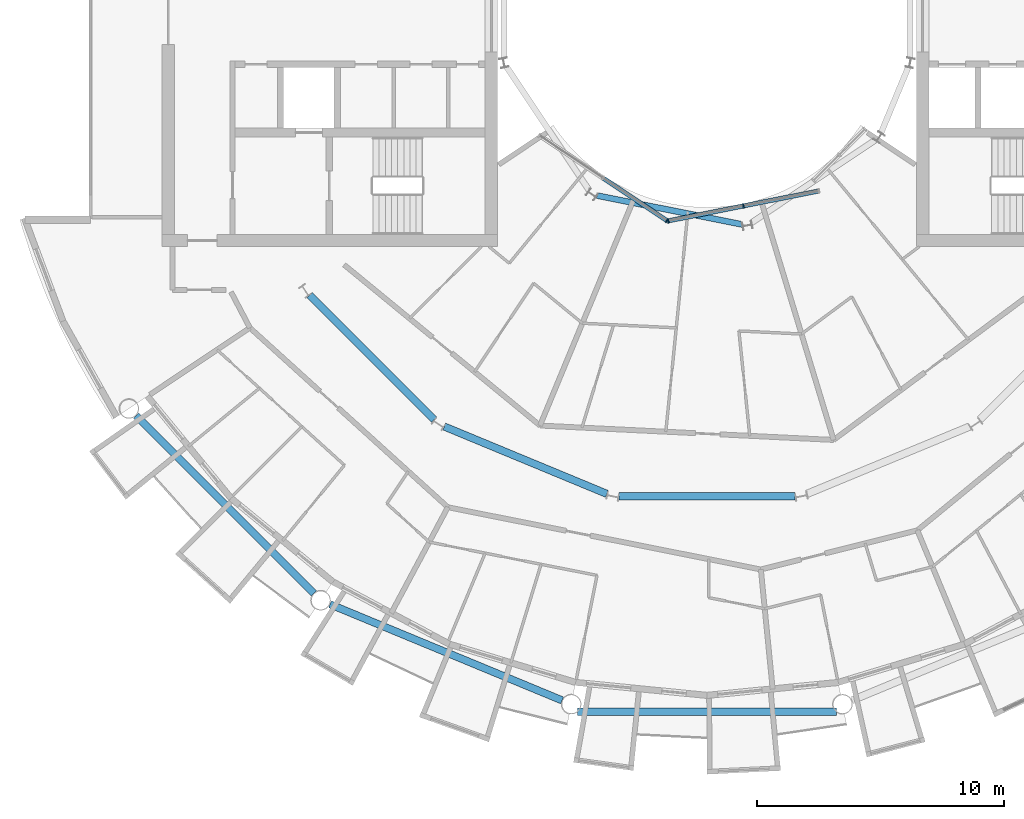
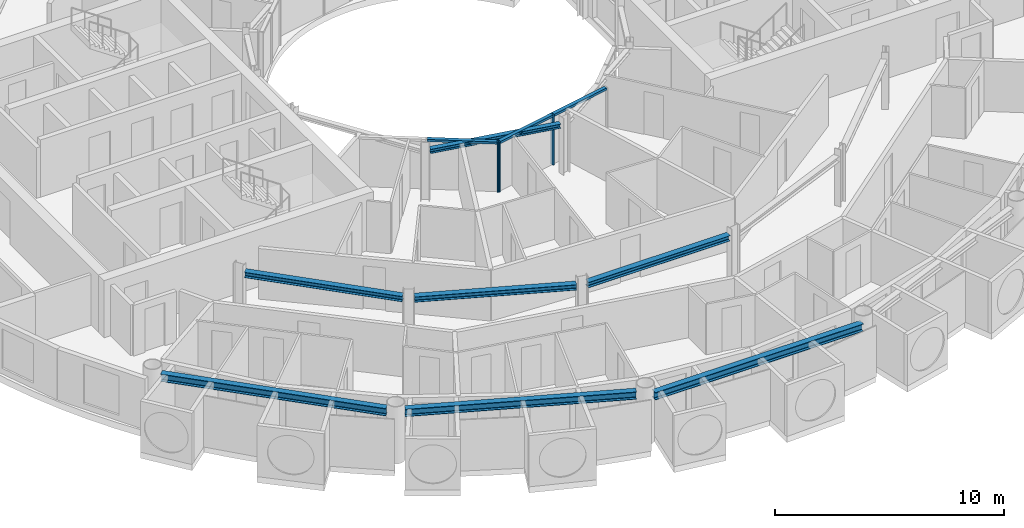
# One storey, part 5 of 27: 7 beams, 6 members, 2 elements without a shape of their own.
"""IFC4 building model written with IfcOpenShell, lengths in metres."""

from ifc_helpers import new_model, si_unit, direction, frame, origin, origin_2d, place, context, subcontext, project, spatial, rectangle, i_section, extrude, material, layer, layer_set, material_profile, profile_set, type_object, element, aggregate, save


model = new_model("IFC4")

# Units and contexts
model_context = context("Model", 3, precision=1e-05, world=origin(), true_north=direction((0.0, 1.0)))
body_context = subcontext(model_context, "Body", "Model", "MODEL_VIEW")
ifc_project = project(units=[si_unit("LENGTHUNIT", "METRE"), si_unit("AREAUNIT", "SQUARE_METRE"), si_unit("VOLUMEUNIT", "CUBIC_METRE"), si_unit("PLANEANGLEUNIT", "RADIAN"), si_unit("MASSUNIT", "GRAM", prefix="KILO")], contexts=[model_context])

# Site, building, storey
site_placement = place(None, origin())
site = spatial("IfcSite", under=ifc_project, at=site_placement, CompositionType="ELEMENT")
building_placement = place(site_placement, origin())
building = spatial("IfcBuilding", under=site, at=building_placement, Name="Maasbend Ring Residences", CompositionType="ELEMENT")
storey_placement = place(building_placement, frame((0.0, 0.0, 151.300048828125)))
storey = spatial("IfcBuildingStorey", under=building, at=storey_placement, Name="L43", CompositionType="ELEMENT", Elevation=151.300048828125)

# Curtain wall, member
ifc_material_1 = material(Name="Aluminium and clear glass", Category="aluminium")
ifc_layer = layer(ifc_material_1, 0.179931640625)
ifc_layer_set = layer_set([ifc_layer], Name="CW-W")
curtain_wall_type = type_object("IfcCurtainWallType", Name="CW-W", PredefinedType="NOTDEFINED", material=ifc_layer_set)
curtain_wall_1_placement = place(storey_placement, origin())
curtain_wall_1 = element("IfcCurtainWall", 1, at=curtain_wall_1_placement, inside=storey, type_object=curtain_wall_type, Name="Well curtain wall S1", PredefinedType="NOTDEFINED")
ifc_material_2 = material(Name="Aluminium 6063-T6", Category="aluminium")
ifc_material_profile_1 = material_profile(ifc_material_2, rectangle(XDim=0.179931640625, YDim=0.06005859375, at=origin_2d()), Name="AL 180x60")
ifc_profile_set_1 = profile_set([ifc_material_profile_1], Name="Aluminium 6063-T6")
member_type_1 = type_object("IfcMemberType", Name="CWM-W", PredefinedType="MULLION", material=ifc_profile_set_1)
member_1_placement = place(storey_placement, frame((-1.627685546875, -8.040771484375, 0.0), z_axis=(0.0, 0.0, 1.0), x_axis=(0.55557023302, 0.831469612303, 0.0)))
member_1 = element("IfcMember", 2, at=member_1_placement, type_object=member_type_1, Name="Mullion well face", PredefinedType="MULLION", context=body_context, shape_type="SweptSolid", body=[
    extrude(rectangle(XDim=0.179931640625, YDim=0.06005859375, at=origin_2d()), origin(), (0.0, 0.0, 1.0), 2.699951171875),
])

# Curtain wall, members
curtain_wall_2_placement = place(storey_placement, origin())
curtain_wall_2 = element("IfcCurtainWall", 3, at=curtain_wall_2_placement, inside=storey, type_object=curtain_wall_type, Name="Well curtain wall S2", PredefinedType="NOTDEFINED")
member_2_placement = place(storey_placement, frame((-1.5732421875, -8.0517578125, 0.0), z_axis=(0.0, 0.0, 1.0), x_axis=(-0.195090322016, 0.980785280403, 0.0)))
member_2 = element("IfcMember", 4, at=member_2_placement, type_object=member_type_1, Name="Mullion well face", PredefinedType="MULLION", context=body_context, shape_type="SweptSolid", body=[
    extrude(rectangle(XDim=0.179931640625, YDim=0.06005859375, at=origin_2d()), origin(), (0.0, 0.0, 1.0), 2.699951171875),
])
member_3_placement = place(storey_placement, frame((1.480712890625, -7.444091796875, 0.0), z_axis=(0.0, 0.0, 1.0), x_axis=(-0.195090322016, 0.980785280403, 0.0)))
member_3 = element("IfcMember", 5, at=member_3_placement, type_object=member_type_1, Name="Mullion well face", PredefinedType="MULLION", context=body_context, shape_type="SweptSolid", body=[
    extrude(rectangle(XDim=0.179931640625, YDim=0.06005859375, at=origin_2d()), origin(), (0.0, 0.0, 1.0), 2.699951171875),
])

# Member
ifc_material_3 = material(Name="Aluminium 6063-T6", Category="aluminium")
ifc_material_profile_2 = material_profile(ifc_material_3, rectangle(XDim=0.179931640625, YDim=0.1201171875, at=origin_2d()), Name="AL 180x120")
ifc_profile_set_2 = profile_set([ifc_material_profile_2], Name="Aluminium 6063-T6")
member_type_2 = type_object("IfcMemberType", Name="CWT-W", PredefinedType="USERDEFINED", material=ifc_profile_set_2)
member_4_placement = place(storey_placement, frame((-4.19189453125, -6.32763671875, 2.639892578125), z_axis=(0.831496422459, -0.555530106689, 0.0), x_axis=(0.555530106689, 0.831496422459, 0.0)))
member_4 = element("IfcMember", 6, at=member_4_placement, type_object=member_type_2, Name="Transom well face", ObjectType="TRANSOM", PredefinedType="USERDEFINED", context=body_context, shape_type="SweptSolid", body=[
    extrude(rectangle(XDim=0.179931640625, YDim=0.1201171875, at=origin_2d()), origin(), (0.0, 0.0, 1.0), 3.053955078125),
])

aggregate(curtain_wall_1, [member_1, member_4])

member_5_placement = place(storey_placement, frame((-1.5439453125, -8.0458984375, 2.639892578125), z_axis=(0.980776956105, 0.195132166424, 0.0), x_axis=(-0.195132166424, 0.980776956105, 0.0)))
member_5 = element("IfcMember", 7, at=member_5_placement, type_object=member_type_2, Name="Transom well face", ObjectType="TRANSOM", PredefinedType="USERDEFINED", context=body_context, shape_type="SweptSolid", body=[
    extrude(rectangle(XDim=0.179931640625, YDim=0.1201171875, at=origin_2d()), origin(), (0.0, 0.0, 1.0), 3.053955078125),
])

member_6_placement = place(storey_placement, frame((1.51025390625, -7.438232421875, 2.639892578125), z_axis=(0.980789210404, 0.19507056353, 0.0), x_axis=(-0.19507056353, 0.980789210404, 0.0)))
member_6 = element("IfcMember", 8, at=member_6_placement, type_object=member_type_2, Name="Transom well face", ObjectType="TRANSOM", PredefinedType="USERDEFINED", context=body_context, shape_type="SweptSolid", body=[
    extrude(rectangle(XDim=0.179931640625, YDim=0.1201171875, at=origin_2d()), origin(), (0.0, 0.0, 1.0), 3.0537109375),
])

aggregate(curtain_wall_2, [member_2, member_3, member_5, member_6])

# Beams
ifc_material_4 = material(Name="Steel S355J2", Category="steel")
ifc_material_profile_3 = material_profile(ifc_material_4, i_section(OverallWidth=0.300048828125, OverallDepth=0.2900390625, WebThickness=0.008544921875, FlangeThickness=0.013916015625, FilletRadius=0.027099609375, at=origin_2d()), Name="HEA 300")
ifc_profile_set_3 = profile_set([ifc_material_profile_3], Name="Steel S355J2")
beam_type_1 = type_object("IfcBeamType", Name="Corridor ring beam HEA 300", PredefinedType="BEAM", material=ifc_profile_set_3)
for number, where, z_axis, x_axis, name in (
    (9, (-16.11669921875, -11.0693359375, 2.554931640625), (0.707106781187, -0.707106781187, 0.0), (0.707106781187, 0.707106781187, 0.0), "Corridor ring beam"),
    (10, (-10.65380859375, -16.394287109375, 2.554931640625), (0.923871339849, -0.382703210602, 0.0), (0.382703210602, 0.923871339849, 0.0), "Corridor ring beam"),
):
    element("IfcBeam", number, at=place(storey_placement, frame(where, z_axis=z_axis, x_axis=x_axis)), inside=storey, type_object=beam_type_1, Name=name, PredefinedType="BEAM", context=body_context, shape_type="SweptSolid", body=[
        extrude(i_section(OverallWidth=0.300048828125, OverallDepth=0.2900390625, WebThickness=0.008544921875, FlangeThickness=0.013916015625, FilletRadius=0.027099609375, at=origin_2d()), origin(), (0.0, 0.0, 1.0), 7.137939453125),
    ])
beam_1_placement = place(storey_placement, frame((-3.56884765625, -19.223388671875, 2.554931640625), z_axis=(1.0, 0.0, 0.0), x_axis=(0.0, 1.0, 0.0)))
element("IfcBeam", 11, at=beam_1_placement, inside=storey, type_object=beam_type_1, Name="Corridor ring beam", PredefinedType="BEAM", context=body_context, shape_type="SweptSolid", body=[
    extrude(i_section(OverallWidth=0.300048828125, OverallDepth=0.2900390625, WebThickness=0.008544921875, FlangeThickness=0.013916015625, FilletRadius=0.027099609375, at=origin_2d()), origin(), (0.0, 0.0, 1.0), 7.1376953125),
])
ifc_material_5 = material(Name="Steel S355J2", Category="steel")
ifc_material_profile_4 = material_profile(ifc_material_5, i_section(OverallWidth=0.300048828125, OverallDepth=0.39990234375, WebThickness=0.013427734375, FlangeThickness=0.02392578125, FilletRadius=0.027099609375, at=origin_2d()), Name="HEB 400")
ifc_profile_set_4 = profile_set([ifc_material_profile_4], Name="Steel S355J2")
beam_type_2 = type_object("IfcBeamType", Name="Spandrel ring beam HEB 400", PredefinedType="SPANDREL", material=ifc_profile_set_4)
for number, where, z_axis, x_axis, name in (
    (12, (-23.159912109375, -15.95458984375, 2.5), (0.707106781187, -0.707106781187, 0.0), (0.707106781187, 0.707106781187, 0.0), "Spandrel ring beam"),
    (13, (-15.29150390625, -23.60302734375, 2.5), (0.923883676188, -0.382673428492, 0.0), (0.382673428492, 0.923883676188, 0.0), "Spandrel ring beam"),
):
    element("IfcBeam", number, at=place(storey_placement, frame(where, z_axis=z_axis, x_axis=x_axis)), inside=storey, type_object=beam_type_2, Name=name, PredefinedType="SPANDREL", context=body_context, shape_type="SweptSolid", body=[
        extrude(i_section(OverallWidth=0.300048828125, OverallDepth=0.39990234375, WebThickness=0.013427734375, FlangeThickness=0.02392578125, FilletRadius=0.027099609375, at=origin_2d()), origin(), (0.0, 0.0, 1.0), 10.18994140625),
    ])
beam_2_placement = place(storey_placement, frame((-5.2451171875, -27.9580078125, 2.5), z_axis=(1.0, 0.0, 0.0), x_axis=(0.0, 1.0, 0.0)))
element("IfcBeam", 14, at=beam_2_placement, inside=storey, type_object=beam_type_2, Name="Spandrel ring beam", PredefinedType="SPANDREL", context=body_context, shape_type="SweptSolid", body=[
    extrude(i_section(OverallWidth=0.300048828125, OverallDepth=0.39990234375, WebThickness=0.013427734375, FlangeThickness=0.02392578125, FilletRadius=0.027099609375, at=origin_2d()), origin(), (0.0, 0.0, 1.0), 10.490234375),
])
ifc_material_6 = material(Name="Steel S355J2", Category="steel")
ifc_material_profile_5 = material_profile(ifc_material_6, i_section(OverallWidth=0.239990234375, OverallDepth=0.22998046875, WebThickness=0.007568359375, FlangeThickness=0.011962890625, FilletRadius=0.02099609375, at=origin_2d()), Name="HEA 240")
ifc_profile_set_5 = profile_set([ifc_material_profile_5], Name="Steel S355J2")
beam_type_3 = type_object("IfcBeamType", Name="Well edge beam HEA 240", PredefinedType="BEAM", material=ifc_profile_set_5)
beam_3_placement = place(storey_placement, frame((-4.459716796875, -7.025390625, 2.5849609375), z_axis=(0.980778695042, -0.195123425945, 0.0), x_axis=(0.195123425945, 0.980778695042, 0.0)))
element("IfcBeam", 15, at=beam_3_placement, inside=storey, type_object=beam_type_3, Name="Well edge beam", PredefinedType="BEAM", context=body_context, shape_type="SweptSolid", body=[
    extrude(i_section(OverallWidth=0.239990234375, OverallDepth=0.22998046875, WebThickness=0.007568359375, FlangeThickness=0.011962890625, FilletRadius=0.02099609375, at=origin_2d()), origin(), (0.0, 0.0, 1.0), 6.007080078125),
])

save(model, "model.ifc")
